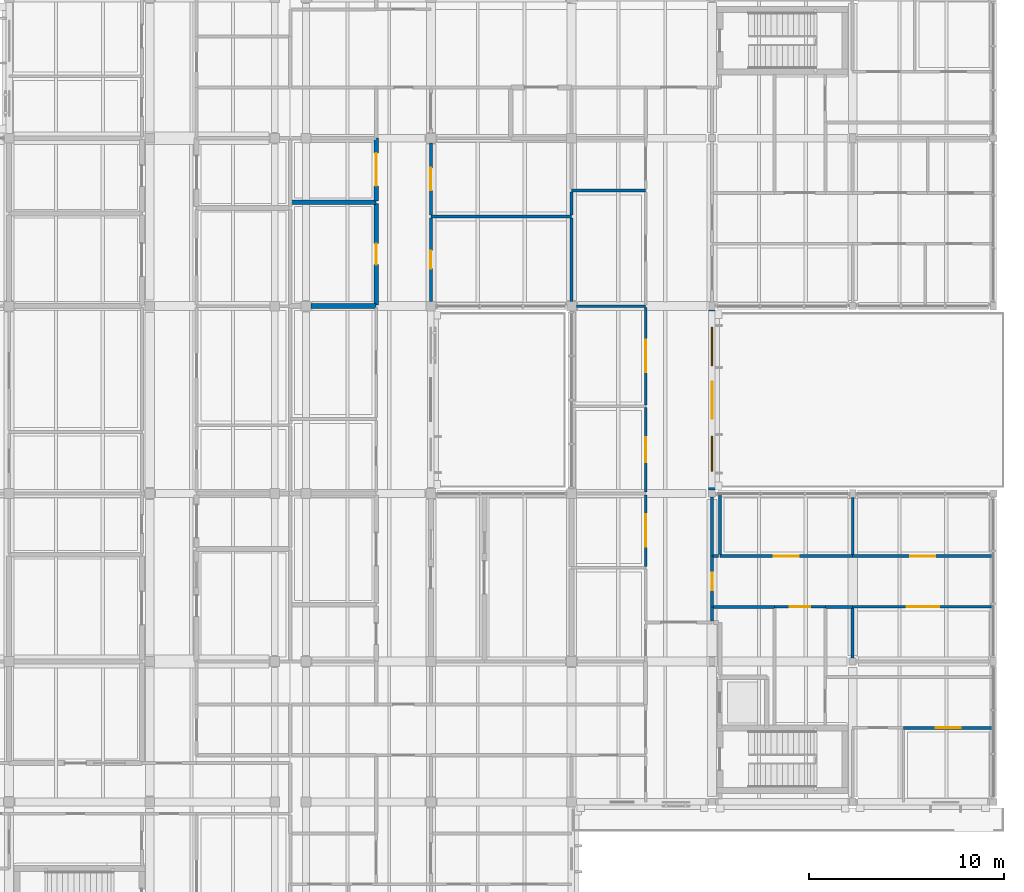
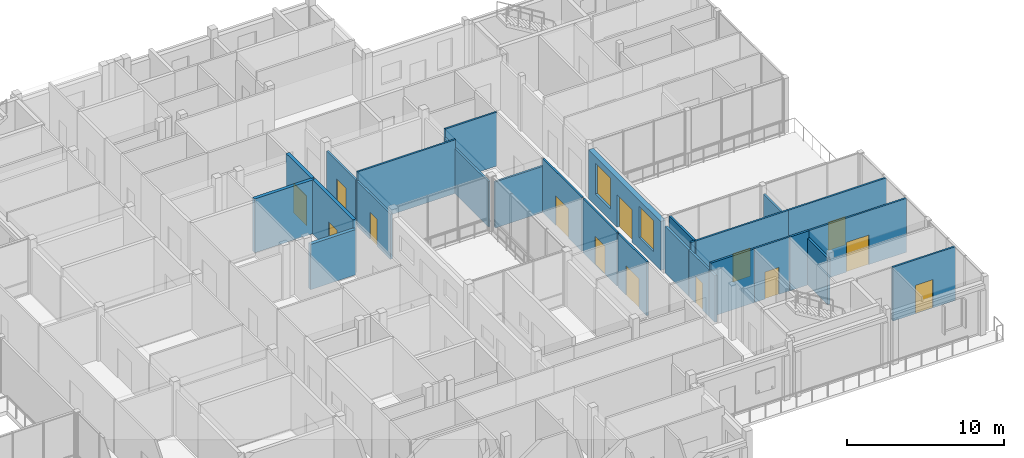
# One storey, part 120 of 146: 29 walls, 14 doors, 2 windows, 16 openings.
"""IFC4 building model written with IfcOpenShell, lengths in metres."""

from ifc_helpers import new_model, si_unit, direction, frame, frame_2d, origin, place, context, subcontext, project, spatial, rectangle, extrude, material, layer, layer_set, type_object, element, fill, save


model = new_model("IFC4")

# Units and contexts
model_context = context("Model", 3, precision=1e-05, world=origin(), true_north=direction((0.0, 1.0)))
body_context = subcontext(model_context, "Body", "Model", "MODEL_VIEW")
ifc_project = project(units=[si_unit("LENGTHUNIT", "METRE"), si_unit("AREAUNIT", "SQUARE_METRE"), si_unit("VOLUMEUNIT", "CUBIC_METRE"), si_unit("PLANEANGLEUNIT", "RADIAN"), si_unit("MASSUNIT", "GRAM", prefix="KILO")], contexts=[model_context])

# Site, building, storey
site_placement = place(None, origin())
site = spatial("IfcSite", under=ifc_project, at=site_placement, CompositionType="ELEMENT")
building_placement = place(site_placement, origin())
building = spatial("IfcBuilding", under=site, at=building_placement, Name="Hawrajan Terrace Health Centre", CompositionType="ELEMENT")
storey_placement = place(building_placement, frame((0.0, 0.0, 4.5)))
storey = spatial("IfcBuildingStorey", under=building, at=storey_placement, Name="L01", CompositionType="ELEMENT", Elevation=4.5)

# Wall, opening, door
ifc_material_1 = material(Name="Gypsum board on acoustic stud framing")
ifc_layer_1 = layer(ifc_material_1, 0.139892578125)
ifc_layer_set_1 = layer_set([ifc_layer_1], Name="Gypsum board on acoustic stud framing")
wall_type_1 = type_object("IfcWallType", Name="ClinicalAcousticWall_140", PredefinedType="PARTITIONING", material=ifc_layer_set_1)
wall_1_placement = place(storey_placement, frame((136.60009765625, 37.050048828125, 0.0), z_axis=(0.0, 0.0, 1.0), x_axis=(0.0, 1.0, 0.0)))
wall_1 = element("IfcWall", 1, at=wall_1_placement, inside=storey, type_object=wall_type_1, Name="Interior wall IW-L01-0777", PredefinedType="PARTITIONING", context=body_context, shape_type="SweptSolid", body=[
    extrude(rectangle(XDim=4.27197265625, YDim=0.139892578125, at=frame_2d((2.135986328125, 0.0))), origin(), (0.0, 0.0, 1.0), 3.52001953125),
])
opening_1_placement = place(wall_1_placement, frame((1.676025390625, 0.0, 0.0)))
opening_1 = element("IfcOpeningElement", 2, at=opening_1_placement, cuts=wall_1, Name="Opening D-L01-407", PredefinedType="OPENING", context=body_context, shape_type="SweptSolid", body=[
    extrude(rectangle(XDim=0.919921875, YDim=2.10009765625, at=frame_2d((0.4599609375, 1.050048828125))), frame((0.0, 0.079833984375, 0.0), z_axis=(0.0, -1.0, 0.0), x_axis=(1.0, 0.0, 0.0)), (0.0, 0.0, 1.0), 0.159912109375),
])
ifc_material_2 = material(Name="Hardwood acoustic clinical door leaf and frame", Category="wood")
door_type_1 = type_object("IfcDoorType", Name="StaffOfficeDoor_920x2100", OperationType="NOTDEFINED", PredefinedType="DOOR", material=ifc_material_2)
door_1_placement = place(opening_1_placement, origin())
door_1 = element("IfcDoor", 3, at=door_1_placement, inside=storey, type_object=door_type_1, Name="Interior door D-L01-407", OperationType="SINGLE_SWING_LEFT", OverallHeight=2.10009765625, OverallWidth=0.919921875, PredefinedType="DOOR", context=body_context, shape_type="SweptSolid", body=[
    extrude(rectangle(XDim=0.919921875, YDim=2.10009765625, at=frame_2d((0.4599609375, 1.050048828125))), frame((0.0, 0.02490234375, 0.0), z_axis=(0.0, -1.0, 0.0), x_axis=(1.0, 0.0, 0.0)), (0.0, 0.0, 1.0), 0.050048828125),
])
fill(opening_1, door_1)

wall_2_placement = place(storey_placement, frame((136.60009765625, 41.4619140625, 0.0), z_axis=(0.0, 0.0, 1.0), x_axis=(0.0, 1.0, 0.0)))
wall_2 = element("IfcWall", 4, at=wall_2_placement, inside=storey, type_object=wall_type_1, Name="Interior wall IW-L01-0778", PredefinedType="PARTITIONING", context=body_context, shape_type="SweptSolid", body=[
    extrude(rectangle(XDim=3.68798828125, YDim=0.139892578125, at=frame_2d((1.843994140625, 0.0))), origin(), (0.0, 0.0, 1.0), 3.52001953125),
])
opening_2_placement = place(wall_2_placement, frame((1.263916015625, 0.0, 0.0)))
opening_2 = element("IfcOpeningElement", 5, at=opening_2_placement, cuts=wall_2, Name="Opening D-L01-408", PredefinedType="OPENING", context=body_context, shape_type="SweptSolid", body=[
    extrude(rectangle(XDim=1.159912109375, YDim=2.10009765625, at=frame_2d((0.580078125, 1.050048828125))), frame((0.0, 0.079833984375, 0.0), z_axis=(0.0, -1.0, 0.0), x_axis=(1.0, 0.0, 0.0)), (0.0, 0.0, 1.0), 0.159912109375),
])
door_type_2 = type_object("IfcDoorType", Name="ConsultDoor_1160x2100", OperationType="NOTDEFINED", PredefinedType="DOOR", material=ifc_material_2)
door_2_placement = place(opening_2_placement, origin())
door_2 = element("IfcDoor", 6, at=door_2_placement, inside=storey, type_object=door_type_2, Name="Interior door D-L01-408", OperationType="SINGLE_SWING_RIGHT", OverallHeight=2.10009765625, OverallWidth=1.159912109375, PredefinedType="DOOR", context=body_context, shape_type="SweptSolid", body=[
    extrude(rectangle(XDim=1.159912109375, YDim=2.10009765625, at=frame_2d((0.580078125, 1.050048828125))), frame((0.0, 0.02490234375, 0.0), z_axis=(0.0, -1.0, 0.0), x_axis=(1.0, 0.0, 0.0)), (0.0, 0.0, 1.0), 0.050048828125),
])
fill(opening_2, door_2)

# Walls
wall_3_placement = place(storey_placement, frame((136.60009765625, 41.39208984375, 0.0), z_axis=(0.0, 0.0, 1.0), x_axis=(1.0, 0.0, 0.0)))
element("IfcWall", 7, at=wall_3_placement, inside=storey, type_object=wall_type_1, Name="Interior wall IW-L01-0779", PredefinedType="PARTITIONING", context=body_context, shape_type="SweptSolid", body=[
    extrude(rectangle(XDim=7.199951171875, YDim=0.139892578125, at=frame_2d((3.60009765625, 0.0))), origin(), (0.0, 0.0, 1.0), 4.179931640625),
])
wall_4_placement = place(storey_placement, frame((143.800048828125, 37.050048828125, 0.0), z_axis=(0.0, 0.0, 1.0), x_axis=(0.0, 1.0, 0.0)))
element("IfcWall", 8, at=wall_4_placement, inside=storey, type_object=wall_type_1, Name="Interior wall IW-L01-0800", PredefinedType="PARTITIONING", context=body_context, shape_type="SweptSolid", body=[
    extrude(rectangle(XDim=4.27197265625, YDim=0.139892578125, at=frame_2d((2.135986328125, 0.0))), origin(), (0.0, 0.0, 1.0), 3.52001953125),
])
wall_5_placement = place(storey_placement, frame((144.050048828125, 36.800048828125, 0.0), z_axis=(0.0, 0.0, 1.0), x_axis=(1.0, 0.0, 0.0)))
element("IfcWall", 9, at=wall_5_placement, inside=storey, type_object=wall_type_1, Name="Interior wall IW-L01-0801", PredefinedType="PARTITIONING", context=body_context, shape_type="SweptSolid", body=[
    extrude(rectangle(XDim=3.550048828125, YDim=0.139892578125, at=frame_2d((1.77490234375, 0.0))), origin(), (0.0, 0.0, 1.0), 3.580078125),
])
wall_6_placement = place(storey_placement, frame((143.800048828125, 41.4619140625, 0.0), z_axis=(0.0, 0.0, 1.0), x_axis=(0.0, 1.0, 0.0)))
element("IfcWall", 10, at=wall_6_placement, inside=storey, type_object=wall_type_1, Name="Interior wall IW-L01-0802", PredefinedType="PARTITIONING", context=body_context, shape_type="SweptSolid", body=[
    extrude(rectangle(XDim=1.18505859375, YDim=0.139892578125, at=frame_2d((0.592529296875, 0.0))), origin(), (0.0, 0.0, 1.0), 3.52001953125),
])
wall_7_placement = place(storey_placement, frame((143.800048828125, 42.717041015625, 0.0), z_axis=(0.0, 0.0, 1.0), x_axis=(1.0, 0.0, 0.0)))
element("IfcWall", 11, at=wall_7_placement, inside=storey, type_object=wall_type_1, Name="Interior wall IW-L01-0804", PredefinedType="PARTITIONING", context=body_context, shape_type="SweptSolid", body=[
    extrude(rectangle(XDim=3.800048828125, YDim=0.139892578125, at=frame_2d((1.89990234375, 0.0))), origin(), (0.0, 0.0, 1.0), 4.179931640625),
])

# Wall, opening, door
wall_8_placement = place(storey_placement, frame((147.60009765625, 23.47705078125, 0.0), z_axis=(0.0, 0.0, 1.0), x_axis=(0.0, 1.0, 0.0)))
wall_8 = element("IfcWall", 12, at=wall_8_placement, inside=storey, type_object=wall_type_1, Name="Interior wall IW-L01-0810", PredefinedType="PARTITIONING", context=body_context, shape_type="SweptSolid", body=[
    extrude(rectangle(XDim=3.65283203125, YDim=0.139892578125, at=frame_2d((1.826416015625, 0.0))), origin(), (0.0, 0.0, 1.0), 4.179931640625),
])
opening_3_placement = place(wall_8_placement, frame((0.99658203125, 0.0, 0.0)))
opening_3 = element("IfcOpeningElement", 13, at=opening_3_placement, cuts=wall_8, Name="Opening D-L01-414", PredefinedType="OPENING", context=body_context, shape_type="SweptSolid", body=[
    extrude(rectangle(XDim=1.659912109375, YDim=2.300048828125, at=frame_2d((0.830078125, 1.14990234375))), frame((0.0, 0.079833984375, 0.0), z_axis=(0.0, -1.0, 0.0), x_axis=(1.0, 0.0, 0.0)), (0.0, 0.0, 1.0), 0.159912109375),
])
door_type_3 = type_object("IfcDoorType", Name="RehabGymDoor_1660x2300", OperationType="DOUBLE_DOOR_SINGLE_SWING", PredefinedType="DOOR", material=ifc_material_2)
door_3_placement = place(opening_3_placement, origin())
door_3 = element("IfcDoor", 14, at=door_3_placement, inside=storey, type_object=door_type_3, Name="Interior door D-L01-414", OperationType="DOUBLE_DOOR_SINGLE_SWING", OverallHeight=2.300048828125, OverallWidth=1.659912109375, PredefinedType="DOOR", context=body_context, shape_type="SweptSolid", body=[
    extrude(rectangle(XDim=1.659912109375, YDim=2.300048828125, at=frame_2d((0.830078125, 1.14990234375))), frame((0.0, 0.02490234375, 0.0), z_axis=(0.0, -1.0, 0.0), x_axis=(1.0, 0.0, 0.0)), (0.0, 0.0, 1.0), 0.050048828125),
])
fill(opening_3, door_3)

wall_9_placement = place(storey_placement, frame((147.60009765625, 27.27001953125, 0.0), z_axis=(0.0, 0.0, 1.0), x_axis=(0.0, 1.0, 0.0)))
wall_9 = element("IfcWall", 15, at=wall_9_placement, inside=storey, type_object=wall_type_1, Name="Interior wall IW-L01-0811", PredefinedType="PARTITIONING", context=body_context, shape_type="SweptSolid", body=[
    extrude(rectangle(XDim=4.333984375, YDim=0.139892578125, at=frame_2d((2.1669921875, 0.0))), origin(), (0.0, 0.0, 1.0), 4.179931640625),
])
opening_4_placement = place(wall_9_placement, frame((1.527099609375, 0.0, 0.0)))
opening_4 = element("IfcOpeningElement", 16, at=opening_4_placement, cuts=wall_9, Name="Opening D-L01-415", PredefinedType="OPENING", context=body_context, shape_type="SweptSolid", body=[
    extrude(rectangle(XDim=1.280029296875, YDim=2.199951171875, at=frame_2d((0.64013671875, 1.10009765625))), frame((0.0, 0.079833984375, 0.0), z_axis=(0.0, -1.0, 0.0), x_axis=(1.0, 0.0, 0.0)), (0.0, 0.0, 1.0), 0.159912109375),
])
door_type_4 = type_object("IfcDoorType", Name="ExamSuiteDoor_1280x2200", OperationType="NOTDEFINED", PredefinedType="DOOR", material=ifc_material_2)
door_4_placement = place(opening_4_placement, origin())
door_4 = element("IfcDoor", 17, at=door_4_placement, inside=storey, type_object=door_type_4, Name="Interior door D-L01-415", OperationType="SINGLE_SWING_LEFT", OverallHeight=2.199951171875, OverallWidth=1.280029296875, PredefinedType="DOOR", context=body_context, shape_type="SweptSolid", body=[
    extrude(rectangle(XDim=1.280029296875, YDim=2.199951171875, at=frame_2d((0.64013671875, 1.10009765625))), frame((0.0, 0.02490234375, 0.0), z_axis=(0.0, -1.0, 0.0), x_axis=(1.0, 0.0, 0.0)), (0.0, 0.0, 1.0), 0.050048828125),
])
fill(opening_4, door_4)

wall_10_placement = place(storey_placement, frame((147.60009765625, 31.743896484375, 0.0), z_axis=(0.0, 0.0, 1.0), x_axis=(0.0, 1.0, 0.0)))
wall_10 = element("IfcWall", 18, at=wall_10_placement, inside=storey, type_object=wall_type_1, Name="Interior wall IW-L01-0812", PredefinedType="PARTITIONING", context=body_context, shape_type="SweptSolid", body=[
    extrude(rectangle(XDim=4.986083984375, YDim=0.139892578125, at=frame_2d((2.4931640625, 0.0))), origin(), (0.0, 0.0, 1.0), 4.179931640625),
])
opening_5_placement = place(wall_10_placement, frame((1.6630859375, 0.0, 0.0)))
opening_5 = element("IfcOpeningElement", 19, at=opening_5_placement, cuts=wall_10, Name="Opening D-L01-416", PredefinedType="OPENING", context=body_context, shape_type="SweptSolid", body=[
    extrude(rectangle(XDim=1.659912109375, YDim=2.300048828125, at=frame_2d((0.830078125, 1.14990234375))), frame((0.0, 0.079833984375, 0.0), z_axis=(0.0, -1.0, 0.0), x_axis=(1.0, 0.0, 0.0)), (0.0, 0.0, 1.0), 0.159912109375),
])
door_5_placement = place(opening_5_placement, origin())
door_5 = element("IfcDoor", 20, at=door_5_placement, inside=storey, type_object=door_type_3, Name="Interior door D-L01-416", OperationType="DOUBLE_DOOR_SINGLE_SWING", OverallHeight=2.300048828125, OverallWidth=1.659912109375, PredefinedType="DOOR", context=body_context, shape_type="SweptSolid", body=[
    extrude(rectangle(XDim=1.659912109375, YDim=2.300048828125, at=frame_2d((0.830078125, 1.14990234375))), frame((0.0, 0.02490234375, 0.0), z_axis=(0.0, -1.0, 0.0), x_axis=(1.0, 0.0, 0.0)), (0.0, 0.0, 1.0), 0.050048828125),
])
fill(opening_5, door_5)

wall_11_placement = place(storey_placement, frame((151.0, 21.39990234375, 0.0), z_axis=(0.0, 0.0, 1.0), x_axis=(0.0, 1.0, 0.0)))
wall_11 = element("IfcWall", 21, at=wall_11_placement, inside=storey, type_object=wall_type_1, Name="Interior wall IW-L01-0816", PredefinedType="PARTITIONING", context=body_context, shape_type="SweptSolid", body=[
    extrude(rectangle(XDim=2.60009765625, YDim=0.139892578125, at=frame_2d((1.300048828125, 0.0))), origin(), (0.0, 0.0, 1.0), 3.6201171875),
])
opening_6_placement = place(wall_11_placement, frame((0.85009765625, 0.0, 0.0)))
opening_6 = element("IfcOpeningElement", 22, at=opening_6_placement, cuts=wall_11, Name="Opening D-L01-278", PredefinedType="OPENING", context=body_context, shape_type="SweptSolid", body=[
    extrude(rectangle(XDim=0.89990234375, YDim=2.10009765625, at=frame_2d((0.449951171875, 1.050048828125))), frame((0.0, 0.079833984375, 0.0), z_axis=(0.0, -1.0, 0.0), x_axis=(1.0, 0.0, 0.0)), (0.0, 0.0, 1.0), 0.159912109375),
])
door_type_5 = type_object("IfcDoorType", Name="PatientWCDoor_900x2100", OperationType="NOTDEFINED", PredefinedType="DOOR", material=ifc_material_2)
door_6_placement = place(opening_6_placement, origin())
door_6 = element("IfcDoor", 23, at=door_6_placement, inside=storey, type_object=door_type_5, Name="Interior door D-L01-278", OperationType="SINGLE_SWING_RIGHT", OverallHeight=2.10009765625, OverallWidth=0.89990234375, PredefinedType="DOOR", context=body_context, shape_type="SweptSolid", body=[
    extrude(rectangle(XDim=0.89990234375, YDim=2.10009765625, at=frame_2d((0.449951171875, 1.050048828125))), frame((0.0, 0.02490234375, 0.0), z_axis=(0.0, -1.0, 0.0), x_axis=(1.0, 0.0, 0.0)), (0.0, 0.0, 1.0), 0.050048828125),
])
fill(opening_6, door_6)

wall_12_placement = place(storey_placement, frame((151.39990234375, 24.0, 0.0), z_axis=(0.0, 0.0, 1.0), x_axis=(1.0, 0.0, 0.0)))
wall_12 = element("IfcWall", 24, at=wall_12_placement, inside=storey, type_object=wall_type_1, Name="Interior wall IW-L01-0820", PredefinedType="PARTITIONING", context=body_context, shape_type="SweptSolid", body=[
    extrude(rectangle(XDim=6.800048828125, YDim=0.139892578125, at=frame_2d((3.39990234375, 0.0))), origin(), (0.0, 0.0, 1.0), 4.179931640625),
])
opening_7_placement = place(wall_12_placement, frame((2.760009765625, 0.0, 0.0)))
opening_7 = element("IfcOpeningElement", 25, at=opening_7_placement, cuts=wall_12, Name="Opening D-L01-419", PredefinedType="OPENING", context=body_context, shape_type="SweptSolid", body=[
    extrude(rectangle(XDim=1.280029296875, YDim=2.199951171875, at=frame_2d((0.64013671875, 1.10009765625))), frame((0.0, 0.079833984375, 0.0), z_axis=(0.0, -1.0, 0.0), x_axis=(1.0, 0.0, 0.0)), (0.0, 0.0, 1.0), 0.159912109375),
])
door_7_placement = place(opening_7_placement, origin())
door_7 = element("IfcDoor", 26, at=door_7_placement, inside=storey, type_object=door_type_4, Name="Interior door D-L01-419", OperationType="SINGLE_SWING_LEFT", OverallHeight=2.199951171875, OverallWidth=1.280029296875, PredefinedType="DOOR", context=body_context, shape_type="SweptSolid", body=[
    extrude(rectangle(XDim=1.280029296875, YDim=2.199951171875, at=frame_2d((0.64013671875, 1.10009765625))), frame((0.0, 0.02490234375, 0.0), z_axis=(0.0, -1.0, 0.0), x_axis=(1.0, 0.0, 0.0)), (0.0, 0.0, 1.0), 0.050048828125),
])
fill(opening_7, door_7)

wall_13_placement = place(storey_placement, frame((154.199951171875, 21.39990234375, 0.0), z_axis=(0.0, 0.0, 1.0), x_axis=(1.0, 0.0, 0.0)))
wall_13 = element("IfcWall", 27, at=wall_13_placement, inside=storey, type_object=wall_type_1, Name="Interior wall IW-L01-0821", PredefinedType="PARTITIONING", context=body_context, shape_type="SweptSolid", body=[
    extrude(rectangle(XDim=2.60009765625, YDim=0.139892578125, at=frame_2d((1.300048828125, 0.0))), origin(), (0.0, 0.0, 1.0), 4.179931640625),
])
opening_8_placement = place(wall_13_placement, frame((0.780029296875, 0.0, 0.0)))
opening_8 = element("IfcOpeningElement", 28, at=opening_8_placement, cuts=wall_13, Name="Opening D-L01-281", PredefinedType="OPENING", context=body_context, shape_type="SweptSolid", body=[
    extrude(rectangle(XDim=1.0400390625, YDim=2.10009765625, at=frame_2d((0.52001953125, 1.050048828125))), frame((0.0, 0.079833984375, 0.0), z_axis=(0.0, -1.0, 0.0), x_axis=(1.0, 0.0, 0.0)), (0.0, 0.0, 1.0), 0.159912109375),
])
door_type_6 = type_object("IfcDoorType", Name="ConsultDoor_1040x2100", OperationType="NOTDEFINED", PredefinedType="DOOR", material=ifc_material_2)
door_8_placement = place(opening_8_placement, origin())
door_8 = element("IfcDoor", 29, at=door_8_placement, inside=storey, type_object=door_type_6, Name="Interior door D-L01-281", OperationType="SINGLE_SWING_LEFT", OverallHeight=2.10009765625, OverallWidth=1.0400390625, PredefinedType="DOOR", context=body_context, shape_type="SweptSolid", body=[
    extrude(rectangle(XDim=1.0400390625, YDim=2.10009765625, at=frame_2d((0.52001953125, 1.050048828125))), frame((0.0, 0.02490234375, 0.0), z_axis=(0.0, -1.0, 0.0), x_axis=(1.0, 0.0, 0.0)), (0.0, 0.0, 1.0), 0.050048828125),
])
fill(opening_8, door_8)

wall_14_placement = place(storey_placement, frame((158.199951171875, 21.39990234375, 0.0), z_axis=(0.0, 0.0, 1.0), x_axis=(1.0, 0.0, 0.0)))
wall_14 = element("IfcWall", 30, at=wall_14_placement, inside=storey, type_object=wall_type_1, Name="Interior wall IW-L01-0826", PredefinedType="PARTITIONING", context=body_context, shape_type="SweptSolid", body=[
    extrude(rectangle(XDim=7.199951171875, YDim=0.139892578125, at=frame_2d((3.60009765625, 0.0))), origin(), (0.0, 0.0, 1.0), 4.179931640625),
])
opening_9_placement = place(wall_14_placement, frame((2.77001953125, 0.0, 0.0)))
opening_9 = element("IfcOpeningElement", 31, at=opening_9_placement, cuts=wall_14, Name="Opening D-L01-422", PredefinedType="OPENING", context=body_context, shape_type="SweptSolid", body=[
    extrude(rectangle(XDim=1.659912109375, YDim=2.300048828125, at=frame_2d((0.830078125, 1.14990234375))), frame((0.0, 0.079833984375, 0.0), z_axis=(0.0, -1.0, 0.0), x_axis=(1.0, 0.0, 0.0)), (0.0, 0.0, 1.0), 0.159912109375),
])
door_9_placement = place(opening_9_placement, origin())
door_9 = element("IfcDoor", 32, at=door_9_placement, inside=storey, type_object=door_type_3, Name="Interior door D-L01-422", OperationType="DOUBLE_DOOR_SINGLE_SWING", OverallHeight=2.300048828125, OverallWidth=1.659912109375, PredefinedType="DOOR", context=body_context, shape_type="SweptSolid", body=[
    extrude(rectangle(XDim=1.659912109375, YDim=2.300048828125, at=frame_2d((0.830078125, 1.14990234375))), frame((0.0, 0.02490234375, 0.0), z_axis=(0.0, -1.0, 0.0), x_axis=(1.0, 0.0, 0.0)), (0.0, 0.0, 1.0), 0.050048828125),
])
fill(opening_9, door_9)

# Wall
wall_15_placement = place(storey_placement, frame((158.199951171875, 24.070068359375, 0.0), z_axis=(0.0, 0.0, 1.0), x_axis=(0.0, 1.0, 0.0)))
element("IfcWall", 33, at=wall_15_placement, inside=storey, type_object=wall_type_1, Name="Interior wall IW-L01-0827", PredefinedType="PARTITIONING", context=body_context, shape_type="SweptSolid", body=[
    extrude(rectangle(XDim=2.919921875, YDim=0.139892578125, at=frame_2d((1.4599609375, 0.0))), origin(), (0.0, 0.0, 1.0), 3.6201171875),
])

# Wall, opening, door
wall_16_placement = place(storey_placement, frame((158.199951171875, 24.0, 0.0), z_axis=(0.0, 0.0, 1.0), x_axis=(1.0, 0.0, 0.0)))
wall_16 = element("IfcWall", 34, at=wall_16_placement, inside=storey, type_object=wall_type_1, Name="Interior wall IW-L01-0828", PredefinedType="PARTITIONING", context=body_context, shape_type="SweptSolid", body=[
    extrude(rectangle(XDim=7.199951171875, YDim=0.139892578125, at=frame_2d((3.60009765625, 0.0))), origin(), (0.0, 0.0, 1.0), 4.179931640625),
])
opening_10_placement = place(wall_16_placement, frame((2.9599609375, 0.0, 0.0)))
opening_10 = element("IfcOpeningElement", 35, at=opening_10_placement, cuts=wall_16, Name="Opening D-L01-423", PredefinedType="OPENING", context=body_context, shape_type="SweptSolid", body=[
    extrude(rectangle(XDim=1.280029296875, YDim=2.199951171875, at=frame_2d((0.64013671875, 1.10009765625))), frame((0.0, 0.079833984375, 0.0), z_axis=(0.0, -1.0, 0.0), x_axis=(1.0, 0.0, 0.0)), (0.0, 0.0, 1.0), 0.159912109375),
])
door_10_placement = place(opening_10_placement, origin())
door_10 = element("IfcDoor", 36, at=door_10_placement, inside=storey, type_object=door_type_4, Name="Interior door D-L01-423", OperationType="SINGLE_SWING_LEFT", OverallHeight=2.199951171875, OverallWidth=1.280029296875, PredefinedType="DOOR", context=body_context, shape_type="SweptSolid", body=[
    extrude(rectangle(XDim=1.280029296875, YDim=2.199951171875, at=frame_2d((0.64013671875, 1.10009765625))), frame((0.0, 0.02490234375, 0.0), z_axis=(0.0, -1.0, 0.0), x_axis=(1.0, 0.0, 0.0)), (0.0, 0.0, 1.0), 0.050048828125),
])
fill(opening_10, door_10)

wall_17_placement = place(storey_placement, frame((160.800048828125, 15.199951171875, 0.0), z_axis=(0.0, 0.0, 1.0), x_axis=(1.0, 0.0, 0.0)))
wall_17 = element("IfcWall", 37, at=wall_17_placement, inside=storey, type_object=wall_type_1, Name="Interior wall IW-L01-0834", PredefinedType="PARTITIONING", context=body_context, shape_type="SweptSolid", body=[
    extrude(rectangle(XDim=4.599853515625, YDim=0.139892578125, at=frame_2d((2.2998046875, 0.0))), origin(), (0.0, 0.0, 1.0), 4.179931640625),
])
opening_11_placement = place(wall_17_placement, frame((1.659912109375, 0.0, 0.0)))
opening_11 = element("IfcOpeningElement", 38, at=opening_11_placement, cuts=wall_17, Name="Opening D-L01-421", PredefinedType="OPENING", context=body_context, shape_type="SweptSolid", body=[
    extrude(rectangle(XDim=1.280029296875, YDim=2.199951171875, at=frame_2d((0.64013671875, 1.10009765625))), frame((0.0, 0.079833984375, 0.0), z_axis=(0.0, -1.0, 0.0), x_axis=(1.0, 0.0, 0.0)), (0.0, 0.0, 1.0), 0.159912109375),
])
door_11_placement = place(opening_11_placement, origin())
door_11 = element("IfcDoor", 39, at=door_11_placement, inside=storey, type_object=door_type_4, Name="Interior door D-L01-421", OperationType="SINGLE_SWING_LEFT", OverallHeight=2.199951171875, OverallWidth=1.280029296875, PredefinedType="DOOR", context=body_context, shape_type="SweptSolid", body=[
    extrude(rectangle(XDim=1.280029296875, YDim=2.199951171875, at=frame_2d((0.64013671875, 1.10009765625))), frame((0.0, 0.02490234375, 0.0), z_axis=(0.0, -1.0, 0.0), x_axis=(1.0, 0.0, 0.0)), (0.0, 0.0, 1.0), 0.050048828125),
])
fill(opening_11, door_11)

# Wall, openings, windows, door
ifc_material_3 = material(Name="Precast concrete C40/50", Category="concrete")
ifc_layer_2 = layer(ifc_material_3, 0.360107421875)
ifc_layer_set_2 = layer_set([ifc_layer_2], Name="Precast concrete C40/50")
wall_type_2 = type_object("IfcWallType", Name="CoralPodiumWall_360", PredefinedType="SOLIDWALL", material=ifc_layer_set_2)
wall_18_placement = place(storey_placement, frame((151.0, 27.3798828125, 0.0), z_axis=(0.0, 0.0, 1.0), x_axis=(0.0, 1.0, 0.0)))
wall_18 = element("IfcWall", 40, at=wall_18_placement, inside=storey, type_object=wall_type_2, Name="Exterior wall EW-L01-V19-03-1", PredefinedType="SOLIDWALL", context=body_context, shape_type="SweptSolid", body=[
    extrude(rectangle(XDim=9.210205078125, YDim=0.360107421875, at=frame_2d((4.60498046875, 0.0))), origin(), (0.0, 0.0, 1.0), 3.800048828125),
])
opening_12_placement = place(wall_18_placement, frame((3.655029296875, 0.0, 0.0)))
opening_12 = element("IfcOpeningElement", 41, at=opening_12_placement, cuts=wall_18, Name="Opening D-L01-E017", PredefinedType="OPENING", context=body_context, shape_type="SweptSolid", body=[
    extrude(rectangle(XDim=1.89990234375, YDim=2.5, at=frame_2d((0.949951171875, 1.25))), frame((0.0, 0.18994140625, 0.0), z_axis=(0.0, -1.0, 0.0), x_axis=(1.0, 0.0, 0.0)), (0.0, 0.0, 1.0), 0.380126953125),
])
opening_13_placement = place(wall_18_placement, frame((0.95751953125, 0.0, 0.89990234375)))
opening_13 = element("IfcOpeningElement", 42, at=opening_13_placement, cuts=wall_18, Name="Opening W-L01-103", PredefinedType="OPENING", context=body_context, shape_type="SweptSolid", body=[
    extrude(rectangle(XDim=1.800048828125, YDim=2.39990234375, at=frame_2d((0.89990234375, 1.199951171875))), frame((0.0, 0.18994140625, 0.0), z_axis=(0.0, -1.0, 0.0), x_axis=(1.0, 0.0, 0.0)), (0.0, 0.0, 1.0), 0.380126953125),
])
opening_14_placement = place(wall_18_placement, frame((6.37744140625, 0.0, 0.89990234375)))
opening_14 = element("IfcOpeningElement", 43, at=opening_14_placement, cuts=wall_18, Name="Opening W-L01-104", PredefinedType="OPENING", context=body_context, shape_type="SweptSolid", body=[
    extrude(rectangle(XDim=1.949951171875, YDim=2.39990234375, at=frame_2d((0.97509765625, 1.199951171875))), frame((0.0, 0.18994140625, 0.0), z_axis=(0.0, -1.0, 0.0), x_axis=(1.0, 0.0, 0.0)), (0.0, 0.0, 1.0), 0.380126953125),
])
ifc_material_4 = material(Name="Anodized bronze frame with double low-E glazing", Category="glass")
window_type_1 = type_object("IfcWindowType", Name="FacadeWindow_1800x2400", PartitioningType="DOUBLE_PANEL_VERTICAL", PredefinedType="WINDOW", material=ifc_material_4)
window_1_placement = place(opening_13_placement, origin())
window_1 = element("IfcWindow", 44, at=window_1_placement, inside=storey, type_object=window_type_1, Name="Window W-L01-103", OverallHeight=2.39990234375, OverallWidth=1.800048828125, PartitioningType="DOUBLE_PANEL_VERTICAL", PredefinedType="WINDOW", context=body_context, shape_type="SweptSolid", body=[
    extrude(rectangle(XDim=1.800048828125, YDim=2.39990234375, at=frame_2d((0.89990234375, 1.199951171875))), frame((0.0, 0.030029296875, 0.0), z_axis=(0.0, -1.0, 0.0), x_axis=(1.0, 0.0, 0.0)), (0.0, 0.0, 1.0), 0.06005859375),
])
fill(opening_13, window_1)
window_type_2 = type_object("IfcWindowType", Name="FacadeWindow_1950x2400", PartitioningType="DOUBLE_PANEL_VERTICAL", PredefinedType="WINDOW", material=ifc_material_4)
window_2_placement = place(opening_14_placement, origin())
window_2 = element("IfcWindow", 45, at=window_2_placement, inside=storey, type_object=window_type_2, Name="Window W-L01-104", OverallHeight=2.39990234375, OverallWidth=1.949951171875, PartitioningType="DOUBLE_PANEL_VERTICAL", PredefinedType="WINDOW", context=body_context, shape_type="SweptSolid", body=[
    extrude(rectangle(XDim=1.949951171875, YDim=2.39990234375, at=frame_2d((0.97509765625, 1.199951171875))), frame((0.0, 0.030029296875, 0.0), z_axis=(0.0, -1.0, 0.0), x_axis=(1.0, 0.0, 0.0)), (0.0, 0.0, 1.0), 0.06005859375),
])
fill(opening_14, window_2)
ifc_material_5 = material(Name="Anodized bronze thermally broken fire-rated glazed door")
door_type_7 = type_object("IfcDoorType", Name="PavilionGardenDoor_1900x2500", OperationType="DOUBLE_DOOR_SINGLE_SWING", PredefinedType="DOOR", material=ifc_material_5)
door_12_placement = place(opening_12_placement, frame((1.89990234375, 0.0, 0.0), z_axis=(0.0, 0.0, 1.0), x_axis=(-1.0, 0.0, 0.0)))
door_12 = element("IfcDoor", 46, at=door_12_placement, inside=storey, type_object=door_type_7, Name="Therapy Gait Garden Door D-L01-E017", OperationType="DOUBLE_DOOR_SINGLE_SWING", OverallHeight=2.5, OverallWidth=1.89990234375, PredefinedType="DOOR", context=body_context, shape_type="SweptSolid", body=[
    extrude(rectangle(XDim=1.89990234375, YDim=2.5, at=frame_2d((0.949951171875, 1.25))), frame((0.0, 0.02490234375, 0.0), z_axis=(0.0, -1.0, 0.0), x_axis=(1.0, 0.0, 0.0)), (0.0, 0.0, 1.0), 0.050048828125),
])
fill(opening_12, door_12)

# Walls
ifc_layer_3 = layer(ifc_material_1, 0.159912109375)
ifc_layer_set_3 = layer_set([ifc_layer_3], Name="Gypsum board on acoustic stud framing")
wall_type_3 = type_object("IfcWallType", Name="CorridorFireWall_160", PredefinedType="PARTITIONING", material=ifc_layer_set_3)
wall_19_placement = place(storey_placement, frame((151.0, 20.669921875, 0.0), z_axis=(0.0, 0.0, 1.0), x_axis=(0.0, 1.0, 0.0)))
element("IfcWall", 47, at=wall_19_placement, inside=storey, type_object=wall_type_3, Name="Interior wall IW-L01-0881", PredefinedType="PARTITIONING", context=body_context, shape_type="SweptSolid", body=[
    extrude(rectangle(XDim=0.72998046875, YDim=0.159912109375, at=frame_2d((0.364990234375, 0.0))), origin(), (0.0, 0.0, 1.0), 3.6201171875),
])
wall_20_placement = place(storey_placement, frame((151.0, 24.0, 0.0), z_axis=(0.0, 0.0, 1.0), x_axis=(0.0, 1.0, 0.0)))
element("IfcWall", 48, at=wall_20_placement, inside=storey, type_object=wall_type_3, Name="Interior wall IW-L01-0882", PredefinedType="PARTITIONING", context=body_context, shape_type="SweptSolid", body=[
    extrude(rectangle(XDim=3.02001953125, YDim=0.159912109375, at=frame_2d((1.510009765625, 0.0))), origin(), (0.0, 0.0, 1.0), 3.6201171875),
])
wall_21_placement = place(storey_placement, frame((151.0, 21.39990234375, 0.0), z_axis=(0.0, 0.0, 1.0), x_axis=(1.0, 0.0, 0.0)))
element("IfcWall", 49, at=wall_21_placement, inside=storey, type_object=wall_type_3, Name="Interior wall IW-L01-0886", PredefinedType="PARTITIONING", context=body_context, shape_type="SweptSolid", body=[
    extrude(rectangle(XDim=3.199951171875, YDim=0.159912109375, at=frame_2d((1.60009765625, 0.0))), origin(), (0.0, 0.0, 1.0), 4.179931640625),
])
wall_22_placement = place(storey_placement, frame((156.800048828125, 21.39990234375, 0.0), z_axis=(0.0, 0.0, 1.0), x_axis=(1.0, 0.0, 0.0)))
element("IfcWall", 50, at=wall_22_placement, inside=storey, type_object=wall_type_3, Name="Interior wall IW-L01-0887", PredefinedType="PARTITIONING", context=body_context, shape_type="SweptSolid", body=[
    extrude(rectangle(XDim=1.39990234375, YDim=0.159912109375, at=frame_2d((0.699951171875, 0.0))), origin(), (0.0, 0.0, 1.0), 4.179931640625),
])
wall_23_placement = place(storey_placement, frame((151.340087890625, 24.0, 0.0), z_axis=(0.0, 0.0, 1.0), x_axis=(-1.0, 0.0, 0.0)))
element("IfcWall", 51, at=wall_23_placement, inside=storey, type_object=wall_type_3, Name="Interior wall IW-L01-0888", PredefinedType="PARTITIONING", context=body_context, shape_type="SweptSolid", body=[
    extrude(rectangle(XDim=0.280029296875, YDim=0.159912109375, at=frame_2d((0.14013671875, 0.0))), origin(), (0.0, 0.0, 1.0), 4.179931640625),
])
wall_24_placement = place(storey_placement, frame((151.39990234375, 24.070068359375, 0.0), z_axis=(0.0, 0.0, 1.0), x_axis=(0.0, 1.0, 0.0)))
element("IfcWall", 52, at=wall_24_placement, inside=storey, type_object=wall_type_3, Name="Interior wall IW-L01-0972", PredefinedType="PARTITIONING", context=body_context, shape_type="SweptSolid", body=[
    extrude(rectangle(XDim=3.1298828125, YDim=0.159912109375, at=frame_2d((1.56494140625, 0.0))), origin(), (0.0, 0.0, 1.0), 4.179931640625),
])
wall_25_placement = place(storey_placement, frame((158.199951171875, 18.780029296875, 0.0), z_axis=(0.0, 0.0, 1.0), x_axis=(0.0, 1.0, 0.0)))
element("IfcWall", 53, at=wall_25_placement, inside=storey, type_object=wall_type_3, Name="Interior wall IW-L01-0974", PredefinedType="PARTITIONING", context=body_context, shape_type="SweptSolid", body=[
    extrude(rectangle(XDim=2.550048828125, YDim=0.159912109375, at=frame_2d((1.27490234375, 0.0))), origin(), (0.0, 0.0, 1.0), 3.6201171875),
])
ifc_material_6 = material(Name="Concrete C40/50", Category="concrete")
ifc_layer_4 = layer(ifc_material_6, 0.25)
ifc_layer_set_4 = layer_set([ifc_layer_4], Name="Concrete C40/50")
wall_type_4 = type_object("IfcWallType", Name="RadiationShieldWall_RC250", PredefinedType="SOLIDWALL", material=ifc_layer_set_4)
wall_26_placement = place(storey_placement, frame((130.449951171875, 36.800048828125, 0.0), z_axis=(0.0, 0.0, 1.0), x_axis=(1.0, 0.0, 0.0)))
element("IfcWall", 54, at=wall_26_placement, inside=storey, type_object=wall_type_4, Name="Interior wall IW-L01-0752", PredefinedType="SOLIDWALL", context=body_context, shape_type="SweptSolid", body=[
    extrude(rectangle(XDim=3.35009765625, YDim=0.25, at=frame_2d((1.675048828125, 0.0))), origin(), (0.0, 0.0, 1.0), 3.52001953125),
])
wall_27_placement = place(storey_placement, frame((129.405029296875, 42.123046875, 0.0), z_axis=(0.0, 0.0, 1.0), x_axis=(1.0, 0.0, 0.0)))
element("IfcWall", 55, at=wall_27_placement, inside=storey, type_object=wall_type_4, Name="Interior wall IW-L01-0753", PredefinedType="SOLIDWALL", context=body_context, shape_type="SweptSolid", body=[
    extrude(rectangle(XDim=4.39501953125, YDim=0.25, at=frame_2d((2.197509765625, 0.0))), origin(), (0.0, 0.0, 1.0), 4.179931640625),
])

# Wall, opening, door
wall_28_placement = place(storey_placement, frame((133.800048828125, 36.8701171875, 0.0), z_axis=(0.0, 0.0, 1.0), x_axis=(0.0, 1.0, 0.0)))
wall_28 = element("IfcWall", 56, at=wall_28_placement, inside=storey, type_object=wall_type_4, Name="Interior wall IW-L01-0767", PredefinedType="SOLIDWALL", context=body_context, shape_type="SweptSolid", body=[
    extrude(rectangle(XDim=5.182861328125, YDim=0.25, at=frame_2d((2.59130859375, 0.0))), origin(), (0.0, 0.0, 1.0), 4.179931640625),
])
opening_15_placement = place(wall_28_placement, frame((2.051513671875, 0.0, 0.0)))
opening_15 = element("IfcOpeningElement", 57, at=opening_15_placement, cuts=wall_28, Name="Opening D-L01-399", PredefinedType="OPENING", context=body_context, shape_type="SweptSolid", body=[
    extrude(rectangle(XDim=1.080078125, YDim=2.14990234375, at=frame_2d((0.5400390625, 1.074951171875))), frame((0.0, 0.135009765625, 0.0), z_axis=(0.0, -1.0, 0.0), x_axis=(1.0, 0.0, 0.0)), (0.0, 0.0, 1.0), 0.27001953125),
])
ifc_material_7 = material(Name="Timber-veneered acoustic fire-resisting door assembly", Category="wood")
door_type_8 = type_object("IfcDoorType", Name="ClinicalFireDoor_1080x2150", OperationType="NOTDEFINED", PredefinedType="DOOR", material=ifc_material_7)
door_13_placement = place(opening_15_placement, origin())
door_13 = element("IfcDoor", 58, at=door_13_placement, inside=storey, type_object=door_type_8, Name="Interior door D-L01-399", OperationType="SINGLE_SWING_LEFT", OverallHeight=2.14990234375, OverallWidth=1.080078125, PredefinedType="DOOR", context=body_context, shape_type="SweptSolid", body=[
    extrude(rectangle(XDim=1.080078125, YDim=2.14990234375, at=frame_2d((0.5400390625, 1.074951171875))), frame((0.0, 0.02490234375, 0.0), z_axis=(0.0, -1.0, 0.0), x_axis=(1.0, 0.0, 0.0)), (0.0, 0.0, 1.0), 0.050048828125),
])
fill(opening_15, door_13)

wall_29_placement = place(storey_placement, frame((133.800048828125, 42.193115234375, 0.0), z_axis=(0.0, 0.0, 1.0), x_axis=(0.0, 1.0, 0.0)))
wall_29 = element("IfcWall", 59, at=wall_29_placement, inside=storey, type_object=wall_type_4, Name="Interior wall IW-L01-0768", PredefinedType="SOLIDWALL", context=body_context, shape_type="SweptSolid", body=[
    extrude(rectangle(XDim=3.206787109375, YDim=0.25, at=frame_2d((1.603515625, 0.0))), origin(), (0.0, 0.0, 1.0), 4.179931640625),
])
opening_16_placement = place(wall_29_placement, frame((0.763427734375, 0.0, 0.0)))
opening_16 = element("IfcOpeningElement", 60, at=opening_16_placement, cuts=wall_29, Name="Opening D-L01-400", PredefinedType="OPENING", context=body_context, shape_type="SweptSolid", body=[
    extrude(rectangle(XDim=1.679931640625, YDim=2.300048828125, at=frame_2d((0.83984375, 1.14990234375))), frame((0.0, 0.135009765625, 0.0), z_axis=(0.0, -1.0, 0.0), x_axis=(1.0, 0.0, 0.0)), (0.0, 0.0, 1.0), 0.27001953125),
])
door_type_9 = type_object("IfcDoorType", Name="ImagingShieldedDoor_1680x2300", OperationType="DOUBLE_DOOR_SINGLE_SWING", PredefinedType="DOOR", material=ifc_material_7)
door_14_placement = place(opening_16_placement, origin())
door_14 = element("IfcDoor", 61, at=door_14_placement, inside=storey, type_object=door_type_9, Name="Interior door D-L01-400", OperationType="DOUBLE_DOOR_SINGLE_SWING", OverallHeight=2.300048828125, OverallWidth=1.679931640625, PredefinedType="DOOR", context=body_context, shape_type="SweptSolid", body=[
    extrude(rectangle(XDim=1.679931640625, YDim=2.300048828125, at=frame_2d((0.83984375, 1.14990234375))), frame((0.0, 0.02490234375, 0.0), z_axis=(0.0, -1.0, 0.0), x_axis=(1.0, 0.0, 0.0)), (0.0, 0.0, 1.0), 0.050048828125),
])
fill(opening_16, door_14)

save(model, "model.ifc")
